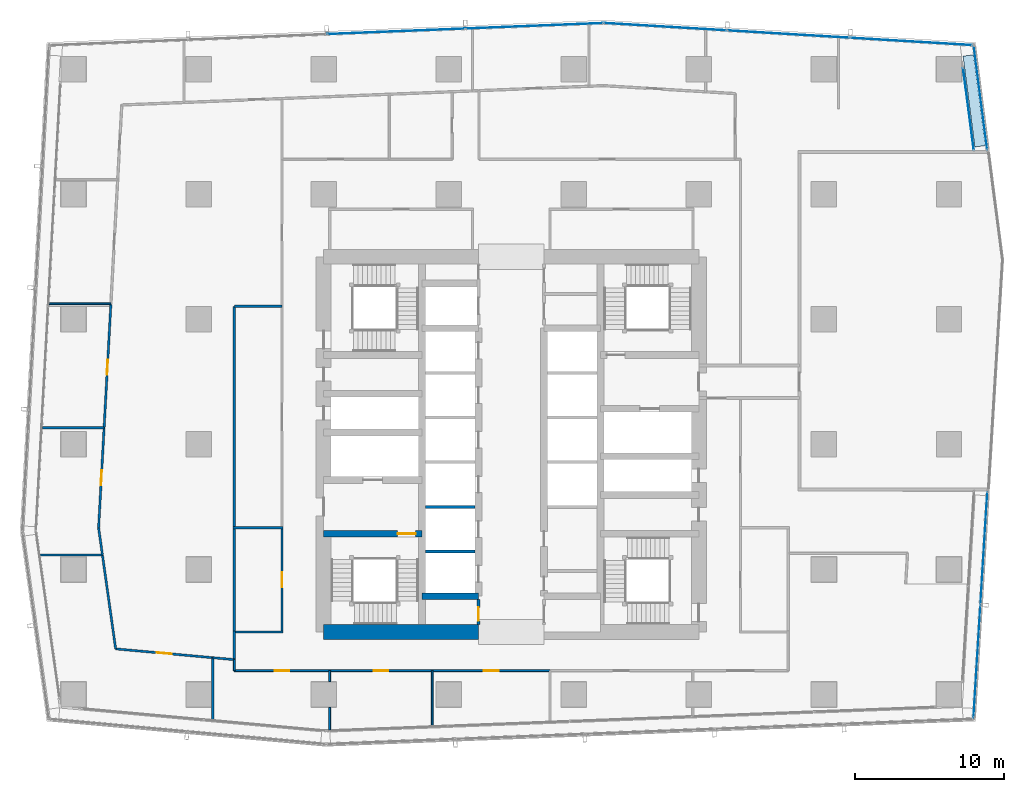
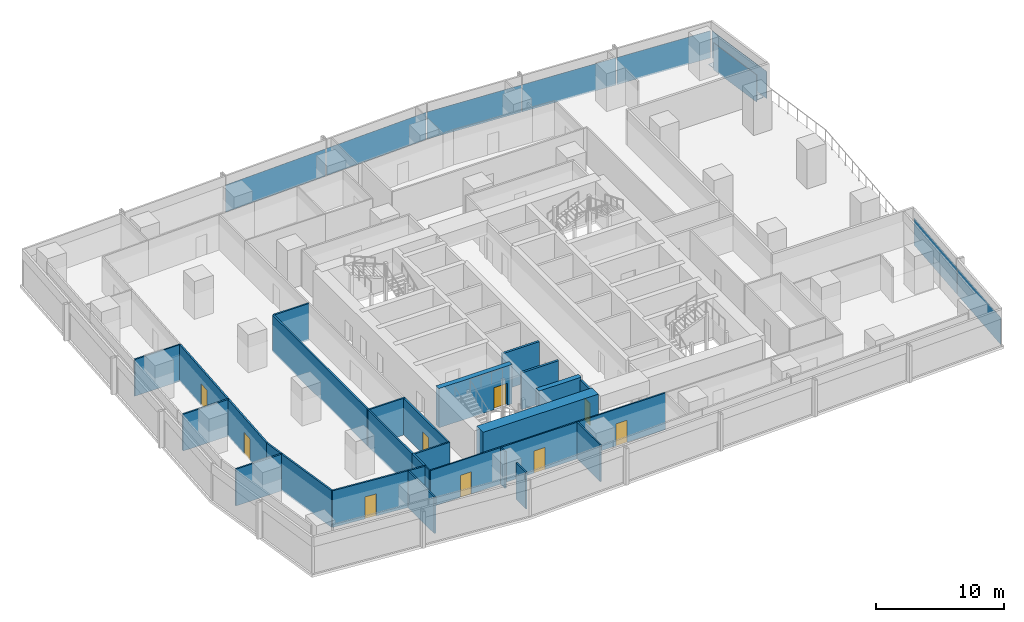
# One storey, part 28 of 40: 30 walls, 10 plates, 9 doors, 9 openings, 5 elements without a shape of their own.
"""IFC4 building model written with IfcOpenShell, lengths in metres."""

from ifc_helpers import new_model, si_unit, direction, frame, frame_2d, origin, origin_2d, place, context, subcontext, project, spatial, rectangle, extrude, material, layer, layer_set, type_object, element, fill, aggregate, save


model = new_model("IFC4")

# Units and contexts
model_context = context("Model", 3, precision=1e-05, world=origin(), true_north=direction((0.0, 1.0)))
body_context = subcontext(model_context, "Body", "Model", "MODEL_VIEW")
ifc_project = project(units=[si_unit("LENGTHUNIT", "METRE"), si_unit("AREAUNIT", "SQUARE_METRE"), si_unit("VOLUMEUNIT", "CUBIC_METRE"), si_unit("PLANEANGLEUNIT", "RADIAN"), si_unit("MASSUNIT", "GRAM", prefix="KILO")], contexts=[model_context])

# Site, building, storey
site_placement = place(None, origin())
site = spatial("IfcSite", under=ifc_project, at=site_placement, CompositionType="ELEMENT")
building_placement = place(site_placement, origin())
building = spatial("IfcBuilding", under=site, at=building_placement, Name="Rekha Terrace Tower", CompositionType="ELEMENT")
storey_placement = place(building_placement, frame((0.0, 0.0, 129.050048828125)))
storey = spatial("IfcBuildingStorey", under=building, at=storey_placement, Name="L32", CompositionType="ELEMENT", Elevation=129.050048828125)

# Curtain wall, plate
ifc_material_1 = material(Name="Aluminium framing", Category="aluminium")
curtain_wall_type_1 = type_object("IfcCurtainWallType", Name="CW1 double skin inner glazing", PredefinedType="USERDEFINED", material=ifc_material_1)
curtain_wall_1_placement = place(storey_placement, origin())
curtain_wall_1 = element("IfcCurtainWall", 1, at=curtain_wall_1_placement, inside=storey, type_object=curtain_wall_type_1, Name="CW1 double skin inner glazing", ObjectType="DOUBLE SKIN INNER GLAZING", PredefinedType="USERDEFINED")
ifc_material_2 = material(Name="Double-glazed low-e unit 32", Category="glass")
ifc_layer_1 = layer(ifc_material_2, 0.031982421875)
ifc_layer_set_1 = layer_set([ifc_layer_1], Name="Double-glazed low-e unit 32")
plate_type_1 = type_object("IfcPlateType", Name="CW1 jumbo vision panel, double-glazed low-e unit 32", PredefinedType="CURTAIN_PANEL", material=ifc_layer_set_1)
plate_1_placement = place(storey_placement, frame((68.512451171875, 56.134033203125, 0.0), z_axis=(0.0, 0.0, 1.0), x_axis=(-0.129118383745, 0.991629186228, 0.0)))
plate_1 = element("IfcPlate", 2, at=plate_1_placement, type_object=plate_type_1, Name="CW1 panel 1.1", PredefinedType="CURTAIN_PANEL", context=body_context, shape_type="SweptSolid", body=[
    extrude(rectangle(XDim=5.53564453125, YDim=0.031982421875, at=origin_2d()), origin(), (0.0, 0.0, 1.0), 2.60009765625),
])
aggregate(curtain_wall_1, [plate_1])

# Curtain wall, plates
curtain_wall_type_2 = type_object("IfcCurtainWallType", Name="CW2 double skin outer glazing", PredefinedType="USERDEFINED", material=ifc_material_1)
curtain_wall_2_placement = place(storey_placement, origin())
curtain_wall_2 = element("IfcCurtainWall", 3, at=curtain_wall_2_placement, inside=storey, type_object=curtain_wall_type_2, Name="CW2 double skin outer glazing", ObjectType="DOUBLE SKIN OUTER GLAZING", PredefinedType="USERDEFINED")
ifc_material_3 = material(Name="Toughened single glazing 12", Category="glass")
ifc_layer_2 = layer(ifc_material_3, 0.011962890625)
ifc_layer_set_2 = layer_set([ifc_layer_2], Name="Toughened single glazing 12")
plate_type_2 = type_object("IfcPlateType", Name="CW2 jumbo vision panel, toughened single glazing 12", PredefinedType="CURTAIN_PANEL", material=ifc_layer_set_2)
plate_2_placement = place(storey_placement, frame((69.085205078125, 19.005126953125, 0.0), z_axis=(0.0, 0.0, 1.0), x_axis=(0.061159803148, 0.998127987023, 0.0)))
plate_2 = element("IfcPlate", 4, at=plate_2_placement, type_object=plate_type_2, Name="CW2 panel 1.1", PredefinedType="CURTAIN_PANEL", context=body_context, shape_type="SweptSolid", body=[
    extrude(rectangle(XDim=7.55615234375, YDim=0.011962890625, at=origin_2d()), origin(), (0.0, 0.0, 1.0), 2.60009765625),
])
plate_3_placement = place(storey_placement, frame((69.55224609375, 26.627197265625, 0.0), z_axis=(0.0, 0.0, 1.0), x_axis=(0.061159803148, 0.998127987023, 0.0)))
plate_3 = element("IfcPlate", 5, at=plate_3_placement, type_object=plate_type_2, Name="CW2 panel 2.1", PredefinedType="CURTAIN_PANEL", context=body_context, shape_type="SweptSolid", body=[
    extrude(rectangle(XDim=7.55615234375, YDim=0.011962890625, at=origin_2d()), origin(), (0.0, 0.0, 1.0), 2.60009765625),
])
aggregate(curtain_wall_2, [plate_2, plate_3])

# Curtain wall, plate
curtain_wall_3_placement = place(storey_placement, origin())
curtain_wall_3 = element("IfcCurtainWall", 6, at=curtain_wall_3_placement, inside=storey, type_object=curtain_wall_type_2, Name="CW2 double skin outer glazing", ObjectType="DOUBLE SKIN OUTER GLAZING", PredefinedType="USERDEFINED")
plate_4_placement = place(storey_placement, frame((69.322265625, 56.88671875, 0.0), z_axis=(0.0, 0.0, 1.0), x_axis=(-0.12911838371, 0.991629186232, 0.0)))
plate_4 = element("IfcPlate", 7, at=plate_4_placement, type_object=plate_type_2, Name="CW2 panel 1.1", PredefinedType="CURTAIN_PANEL", context=body_context, shape_type="SweptSolid", body=[
    extrude(rectangle(XDim=7.0234375, YDim=0.011962890625, at=origin_2d()), origin(), (0.0, 0.0, 1.0), 2.60009765625),
])
aggregate(curtain_wall_3, [plate_4])

# Curtain wall, plates
curtain_wall_type_3 = type_object("IfcCurtainWallType", Name="CW3 north unitised glazing", PredefinedType="USERDEFINED", material=ifc_material_1)
curtain_wall_4_placement = place(storey_placement, origin())
curtain_wall_4 = element("IfcCurtainWall", 8, at=curtain_wall_4_placement, inside=storey, type_object=curtain_wall_type_3, Name="CW3 unitised curtain wall", ObjectType="UNITISED CURTAIN WALL", PredefinedType="USERDEFINED")
ifc_material_4 = material(Name="Double-glazed unit 28", Category="glass")
ifc_layer_3 = layer(ifc_material_4, 0.028076171875)
ifc_layer_set_3 = layer_set([ifc_layer_3], Name="Double-glazed unit 28")
plate_type_3 = type_object("IfcPlateType", Name="CW3 jumbo vision panel, double-glazed unit 28", PredefinedType="CURTAIN_PANEL", material=ifc_layer_set_3)
plate_5_placement = place(storey_placement, frame((64.6748046875, 60.65966796875, 0.0), z_axis=(0.0, 0.0, 1.0), x_axis=(-0.998199102701, 0.059987926837, 0.0)))
plate_5 = element("IfcPlate", 9, at=plate_5_placement, type_object=plate_type_3, Name="CW3 panel 1.1", PredefinedType="CURTAIN_PANEL", context=body_context, shape_type="SweptSolid", body=[
    extrude(rectangle(XDim=8.171630859375, YDim=0.028076171875, at=origin_2d()), origin(), (0.0, 0.0, 1.0), 2.60009765625),
])
plate_6_placement = place(storey_placement, frame((56.430419921875, 61.155029296875, 0.0), z_axis=(0.0, 0.0, 1.0), x_axis=(-0.998199102701, 0.059987926837, 0.0)))
plate_6 = element("IfcPlate", 10, at=plate_6_placement, type_object=plate_type_3, Name="CW3 panel 2.1", PredefinedType="CURTAIN_PANEL", context=body_context, shape_type="SweptSolid", body=[
    extrude(rectangle(XDim=8.20654296875, YDim=0.028076171875, at=origin_2d()), origin(), (0.0, 0.0, 1.0), 2.60009765625),
])
plate_7_placement = place(storey_placement, frame((48.1513671875, 61.652587890625, 0.0), z_axis=(0.0, 0.0, 1.0), x_axis=(-0.998199102701, 0.059987926837, 0.0)))
plate_7 = element("IfcPlate", 11, at=plate_7_placement, type_object=plate_type_3, Name="CW3 panel 3.1", PredefinedType="CURTAIN_PANEL", context=body_context, shape_type="SweptSolid", body=[
    extrude(rectangle(XDim=8.24169921875, YDim=0.028076171875, at=origin_2d()), origin(), (0.0, 0.0, 1.0), 2.60009765625),
])
aggregate(curtain_wall_4, [plate_5, plate_6, plate_7])

curtain_wall_5_placement = place(storey_placement, origin())
curtain_wall_5 = element("IfcCurtainWall", 12, at=curtain_wall_5_placement, inside=storey, type_object=curtain_wall_type_3, Name="CW3 unitised curtain wall", ObjectType="UNITISED CURTAIN WALL", PredefinedType="USERDEFINED")
plate_8_placement = place(storey_placement, frame((39.364501953125, 61.71240234375, 0.0), z_axis=(0.0, 0.0, 1.0), x_axis=(-0.999198398721, -0.040031987119, 0.0)))
plate_8 = element("IfcPlate", 13, at=plate_8_placement, type_object=plate_type_3, Name="CW3 panel 1.1", PredefinedType="CURTAIN_PANEL", context=body_context, shape_type="SweptSolid", body=[
    extrude(rectangle(XDim=9.214599609375, YDim=0.028076171875, at=origin_2d()), origin(), (0.0, 0.0, 1.0), 2.60009765625),
])
plate_9_placement = place(storey_placement, frame((30.06982421875, 61.340087890625, 0.0), z_axis=(0.0, 0.0, 1.0), x_axis=(-0.999198398721, -0.040031987119, 0.0)))
plate_9 = element("IfcPlate", 14, at=plate_9_placement, type_object=plate_type_3, Name="CW3 panel 2.1", PredefinedType="CURTAIN_PANEL", context=body_context, shape_type="SweptSolid", body=[
    extrude(rectangle(XDim=9.24951171875, YDim=0.028076171875, at=origin_2d()), origin(), (0.0, 0.0, 1.0), 2.60009765625),
])
aggregate(curtain_wall_5, [plate_8, plate_9])

# Plate
ifc_material_5 = material(Name="Galvanised steel open grating", Category="steel")
ifc_layer_4 = layer(ifc_material_5, 0.050048828125)
ifc_layer_set_4 = layer_set([ifc_layer_4], Name="Galvanised steel open grating")
plate_type_4 = type_object("IfcPlateType", Name="GT1 cavity walkway grating 50", PredefinedType="USERDEFINED", material=ifc_layer_set_4)
plate_10_placement = place(storey_placement, frame((68.896240234375, 56.673095703125, 0.0), z_axis=(0.0, 0.0, 1.0), x_axis=(-0.129118383623, 0.991629186244, 0.0)))
element("IfcPlate", 15, at=plate_10_placement, inside=storey, type_object=plate_type_4, Name="Cavity walkway grating", ObjectType="CAVITY WALKWAY GRATING", PredefinedType="USERDEFINED", context=body_context, shape_type="SweptSolid", body=[
    extrude(rectangle(XDim=6.15283203125, YDim=0.705078125, at=origin_2d()), origin(), (0.0, 0.0, 1.0), 0.050048828125),
])

# Wall
ifc_material_6 = material(Name="Concrete M70", Category="concrete")
ifc_layer_5 = layer(ifc_material_6, 0.449951171875)
ifc_layer_set_5 = layer_set([ifc_layer_5], Name="Concrete M70")
wall_type_1 = type_object("IfcWallType", Name="CI2 450 core internal shear wall", PredefinedType="SHEAR", material=ifc_layer_set_5)
wall_1_placement = place(storey_placement, frame((31.800048828125, 23.39990234375, 0.0), z_axis=(0.0, 0.0, 1.0), x_axis=(1.0, 0.0, 0.0)))
element("IfcWall", 16, at=wall_1_placement, inside=storey, type_object=wall_type_1, Name="Core wall Y234W L32", PredefinedType="SHEAR", context=body_context, shape_type="SweptSolid", body=[
    extrude(rectangle(XDim=3.800048828125, YDim=0.449951171875, at=frame_2d((1.89990234375, 0.0))), origin(), (0.0, 0.0, 1.0), 3.75),
])

# Wall, opening, door
wall_2_placement = place(storey_placement, frame((25.199951171875, 27.60009765625, 0.0), z_axis=(0.0, 0.0, 1.0), x_axis=(1.0, 0.0, 0.0)))
wall_2 = element("IfcWall", 17, at=wall_2_placement, inside=storey, type_object=wall_type_1, Name="Core wall Y276W L32", PredefinedType="SHEAR", context=body_context, shape_type="SweptSolid", body=[
    extrude(rectangle(XDim=6.60009765625, YDim=0.449951171875, at=frame_2d((3.300048828125, 0.0))), origin(), (0.0, 0.0, 1.0), 3.75),
])
opening_1_placement = place(wall_2_placement, frame((4.97509765625, 0.0, 0.0)))
opening_1 = element("IfcOpeningElement", 18, at=opening_1_placement, cuts=wall_2, Name="Opening D1", PredefinedType="OPENING", context=body_context, shape_type="SweptSolid", body=[
    extrude(rectangle(XDim=1.199951171875, YDim=2.10009765625, at=frame_2d((0.60009765625, 1.050048828125))), frame((0.0, 0.23486328125, 0.0), z_axis=(0.0, -1.0, 0.0), x_axis=(1.0, 0.0, 0.0)), (0.0, 0.0, 1.0), 0.469970703125),
])
ifc_material_7 = material(Name="Steel fire door", Category="steel")
door_type_1 = type_object("IfcDoorType", Name="D1 1200x2100 stair fire door", OperationType="SINGLE_SWING_RIGHT", PredefinedType="DOOR", material=ifc_material_7)
door_1_placement = place(opening_1_placement, origin())
door_1 = element("IfcDoor", 19, at=door_1_placement, inside=storey, type_object=door_type_1, Name="Stair ST1 door L32", OperationType="SINGLE_SWING_RIGHT", OverallHeight=2.10009765625, OverallWidth=1.199951171875, PredefinedType="DOOR", context=body_context, shape_type="SweptSolid", body=[
    extrude(rectangle(XDim=1.199951171875, YDim=2.10009765625, at=frame_2d((0.60009765625, 1.050048828125))), frame((0.0, 0.02490234375, 0.0), z_axis=(0.0, -1.0, 0.0), x_axis=(1.0, 0.0, 0.0)), (0.0, 0.0, 1.0), 0.050048828125),
])
fill(opening_1, door_1)

# Walls
ifc_layer_6 = layer(ifc_material_6, 1.0)
ifc_layer_set_6 = layer_set([ifc_layer_6], Name="Concrete M70")
wall_type_2 = type_object("IfcWallType", Name="SW2 1000 core outer shear wall", PredefinedType="SHEAR", material=ifc_layer_set_6)
wall_3_placement = place(storey_placement, frame((25.199951171875, 21.0, 0.0), z_axis=(0.0, 0.0, 1.0), x_axis=(1.0, 0.0, 0.0)))
element("IfcWall", 20, at=wall_3_placement, inside=storey, type_object=wall_type_2, Name="Core wall S1 L32", PredefinedType="SHEAR", context=body_context, shape_type="SweptSolid", body=[
    extrude(rectangle(XDim=10.400146484375, YDim=1.0, at=frame_2d((5.2001953125, 0.0))), origin(), (0.0, 0.0, 1.0), 3.75),
])
ifc_material_8 = material(Name="Concrete block masonry, 1 hour", Category="masonry")
ifc_layer_7 = layer(ifc_material_8, 0.14990234375)
ifc_layer_set_7 = layer_set([ifc_layer_7], Name="Concrete block masonry, 1 hour")
wall_type_3 = type_object("IfcWallType", Name="WP2 150 tenancy partition", PredefinedType="PARTITIONING", material=ifc_layer_set_7)
for number, where, z_axis, x_axis, name in (
    (21, (19.125, 21.0, 0.0), (0.0, 0.0, 1.0), (1.0, 0.0, 0.0), "Men's WC wall L32"),
    (22, (19.125, 28.0, 0.0), (0.0, 0.0, 1.0), (1.0, 0.0, 0.0), "Men's WC wall L32"),
):
    element("IfcWall", number, at=place(storey_placement, frame(where, z_axis=z_axis, x_axis=x_axis)), inside=storey, type_object=wall_type_3, Name=name, PredefinedType="PARTITIONING", context=body_context, shape_type="SweptSolid", body=[
        extrude(rectangle(XDim=3.35009765625, YDim=0.14990234375, at=frame_2d((1.675048828125, 0.0))), origin(), (0.0, 0.0, 1.0), 3.5),
    ])
wall_4_placement = place(storey_placement, frame((19.199951171875, 21.074951171875, 0.0), z_axis=(0.0, 0.0, 1.0), x_axis=(0.0, 1.0, 0.0)))
element("IfcWall", 23, at=wall_4_placement, inside=storey, type_object=wall_type_3, Name="Men's WC wall L32", PredefinedType="PARTITIONING", context=body_context, shape_type="SweptSolid", body=[
    extrude(rectangle(XDim=6.85009765625, YDim=0.14990234375, at=frame_2d((3.425048828125, 0.0))), origin(), (0.0, 0.0, 1.0), 3.5),
])

# Wall, opening, door
wall_5_placement = place(storey_placement, frame((22.39990234375, 21.074951171875, 0.0), z_axis=(0.0, 0.0, 1.0), x_axis=(0.0, 1.0, 0.0)))
wall_5 = element("IfcWall", 24, at=wall_5_placement, inside=storey, type_object=wall_type_3, Name="Men's WC wall L32", PredefinedType="PARTITIONING", context=body_context, shape_type="SweptSolid", body=[
    extrude(rectangle(XDim=6.85009765625, YDim=0.14990234375, at=frame_2d((3.425048828125, 0.0))), origin(), (0.0, 0.0, 1.0), 3.5),
])
opening_2_placement = place(wall_5_placement, frame((2.925048828125, 0.0, 0.0)))
opening_2 = element("IfcOpeningElement", 25, at=opening_2_placement, cuts=wall_5, Name="Opening D3", PredefinedType="OPENING", context=body_context, shape_type="SweptSolid", body=[
    extrude(rectangle(XDim=1.0, YDim=2.10009765625, at=frame_2d((0.5, 1.050048828125))), frame((0.0, 0.0849609375, 0.0), z_axis=(0.0, -1.0, 0.0), x_axis=(1.0, 0.0, 0.0)), (0.0, 0.0, 1.0), 0.169921875),
])
ifc_material_9 = material(Name="Laminated timber fire door", Category="wood")
door_type_2 = type_object("IfcDoorType", Name="D3 1000x2100 WC door", OperationType="SINGLE_SWING_LEFT", PredefinedType="DOOR", material=ifc_material_9)
door_2_placement = place(opening_2_placement, origin())
door_2 = element("IfcDoor", 26, at=door_2_placement, inside=storey, type_object=door_type_2, Name="Door men's wc L32", OperationType="SINGLE_SWING_LEFT", OverallHeight=2.10009765625, OverallWidth=1.0, PredefinedType="DOOR", context=body_context, shape_type="SweptSolid", body=[
    extrude(rectangle(XDim=1.0, YDim=2.10009765625, at=frame_2d((0.5, 1.050048828125))), frame((0.0, 0.02490234375, 0.0), z_axis=(0.0, -1.0, 0.0), x_axis=(1.0, 0.0, 0.0)), (0.0, 0.0, 1.0), 0.050048828125),
])
fill(opening_2, door_2)

# Walls
wall_6_placement = place(storey_placement, frame((22.39990234375, 42.873046875, 0.0), z_axis=(0.0, 0.0, 1.0), x_axis=(-1.0, 0.0, 0.0)))
element("IfcWall", 27, at=wall_6_placement, inside=storey, type_object=wall_type_3, Name="Partition L32-O2b", PredefinedType="PARTITIONING", context=body_context, shape_type="SweptSolid", body=[
    extrude(rectangle(XDim=3.199951171875, YDim=0.14990234375, at=frame_2d((1.60009765625, 0.0))), origin(), (0.0, 0.0, 1.0), 3.5),
])
wall_7_placement = place(storey_placement, frame((19.199951171875, 42.873046875, 0.0), z_axis=(0.0, 0.0, 1.0), x_axis=(0.0, -1.0, 0.0)))
element("IfcWall", 28, at=wall_7_placement, inside=storey, type_object=wall_type_3, Name="Partition L32-O2b", PredefinedType="PARTITIONING", context=body_context, shape_type="SweptSolid", body=[
    extrude(rectangle(XDim=14.947998046875, YDim=0.14990234375, at=frame_2d((7.47412109375, 0.0))), origin(), (0.0, 0.0, 1.0), 3.5),
])
wall_8_placement = place(storey_placement, frame((19.199951171875, 21.074951171875, 0.0), z_axis=(0.0, 0.0, 1.0), x_axis=(0.0, -1.0, 0.0)))
element("IfcWall", 29, at=wall_8_placement, inside=storey, type_object=wall_type_3, Name="Partition L32-O2b", PredefinedType="PARTITIONING", context=body_context, shape_type="SweptSolid", body=[
    extrude(rectangle(XDim=1.93701171875, YDim=0.14990234375, at=frame_2d((0.968505859375, 0.0))), origin(), (0.0, 0.0, 1.0), 3.5),
])
wall_9_placement = place(storey_placement, frame((19.199951171875, 19.137939453125, 0.0), z_axis=(0.0, 0.0, 1.0), x_axis=(-0.995920706464, 0.090232734836, 0.0)))
element("IfcWall", 30, at=wall_9_placement, inside=storey, type_object=wall_type_3, Name="Partition L32-O2b", PredefinedType="PARTITIONING", context=body_context, shape_type="SweptSolid", body=[
    extrude(rectangle(XDim=1.452880859375, YDim=0.14990234375, at=frame_2d((0.7265625, 0.0))), origin(), (0.0, 0.0, 1.0), 3.5),
])
wall_10_placement = place(storey_placement, frame((17.7529296875, 19.26904296875, 0.0), z_axis=(0.0, 0.0, 1.0), x_axis=(0.0, -1.0, 0.0)))
element("IfcWall", 31, at=wall_10_placement, inside=storey, type_object=wall_type_3, Name="Partition L32-O2b", PredefinedType="PARTITIONING", context=body_context, shape_type="SweptSolid", body=[
    extrude(rectangle(XDim=4.1669921875, YDim=0.14990234375, at=frame_2d((2.08349609375, 0.0))), origin(), (0.0, 0.0, 1.0), 3.5),
])

# Wall, opening, door
wall_11_placement = place(storey_placement, frame((17.751953125, 19.26904296875, 0.0), z_axis=(0.0, 0.0, 1.0), x_axis=(-0.995896565077, 0.090498793736, 0.0)))
wall_11 = element("IfcWall", 32, at=wall_11_placement, inside=storey, type_object=wall_type_3, Name="Partition L32-O2b", PredefinedType="PARTITIONING", context=body_context, shape_type="SweptSolid", body=[
    extrude(rectangle(XDim=6.552734375, YDim=0.14990234375, at=frame_2d((3.2763671875, 0.0))), origin(), (0.0, 0.0, 1.0), 3.5),
])
opening_3_placement = place(wall_11_placement, frame((2.77587890625, 0.0, 0.0)))
opening_3 = element("IfcOpeningElement", 33, at=opening_3_placement, cuts=wall_11, Name="Opening D9", PredefinedType="OPENING", context=body_context, shape_type="SweptSolid", body=[
    extrude(rectangle(XDim=1.0, YDim=2.10009765625, at=frame_2d((0.5, 1.050048828125))), frame((0.0, 0.0849609375, 0.0), z_axis=(0.0, -1.0, 0.0), x_axis=(1.0, 0.0, 0.0)), (0.0, 0.0, 1.0), 0.169921875),
])
ifc_material_10 = material(Name="Timber fire door", Category="wood")
door_type_3 = type_object("IfcDoorType", Name="D9 1000x2100 office door", OperationType="SINGLE_SWING_LEFT", PredefinedType="DOOR", material=ifc_material_10)
door_3_placement = place(opening_3_placement, origin())
door_3 = element("IfcDoor", 34, at=door_3_placement, inside=storey, type_object=door_type_3, Name="Door director's office L32", OperationType="SINGLE_SWING_LEFT", OverallHeight=2.10009765625, OverallWidth=1.0, PredefinedType="DOOR", context=body_context, shape_type="SweptSolid", body=[
    extrude(rectangle(XDim=1.0, YDim=2.10009765625, at=frame_2d((0.5, 1.050048828125))), frame((0.0, 0.02490234375, 0.0), z_axis=(0.0, -1.0, 0.0), x_axis=(1.0, 0.0, 0.0)), (0.0, 0.0, 1.0), 0.050048828125),
])
fill(opening_3, door_3)

# Walls
wall_12_placement = place(storey_placement, frame((11.22607421875, 19.862060546875, 0.0), z_axis=(0.0, 0.0, 1.0), x_axis=(-0.13959860056, 0.990208175447, 0.0)))
element("IfcWall", 35, at=wall_12_placement, inside=storey, type_object=wall_type_3, Name="Partition L32-O2b", PredefinedType="PARTITIONING", context=body_context, shape_type="SweptSolid", body=[
    extrude(rectangle(XDim=6.37646484375, YDim=0.14990234375, at=frame_2d((3.188232421875, 0.0))), origin(), (0.0, 0.0, 1.0), 3.5),
])
wall_13_placement = place(storey_placement, frame((10.3359375, 26.176025390625, 0.0), z_axis=(0.0, 0.0, 1.0), x_axis=(-1.0, 0.0, 0.0)))
element("IfcWall", 36, at=wall_13_placement, inside=storey, type_object=wall_type_3, Name="Partition L32-O2b", PredefinedType="PARTITIONING", context=body_context, shape_type="SweptSolid", body=[
    extrude(rectangle(XDim=4.19091796875, YDim=0.14990234375, at=frame_2d((2.095458984375, 0.0))), origin(), (0.0, 0.0, 1.0), 3.5),
])
wall_14_placement = place(storey_placement, frame((10.3359375, 26.177001953125, 0.0), z_axis=(0.0, 0.0, 1.0), x_axis=(-0.139520002301, 0.990219252973, 0.0)))
element("IfcWall", 37, at=wall_14_placement, inside=storey, type_object=wall_type_3, Name="Partition L32-O2b", PredefinedType="PARTITIONING", context=body_context, shape_type="SweptSolid", body=[
    extrude(rectangle(XDim=1.833740234375, YDim=0.14990234375, at=frame_2d((0.9169921875, 0.0))), origin(), (0.0, 0.0, 1.0), 3.5),
])

# Wall, opening, door
wall_15_placement = place(storey_placement, frame((10.080078125, 27.992919921875, 0.0), z_axis=(0.0, 0.0, 1.0), x_axis=(0.054828909379, 0.998495763985, 0.0)))
wall_15 = element("IfcWall", 38, at=wall_15_placement, inside=storey, type_object=wall_type_3, Name="Partition L32-O2b", PredefinedType="PARTITIONING", context=body_context, shape_type="SweptSolid", body=[
    extrude(rectangle(XDim=6.72802734375, YDim=0.14990234375, at=frame_2d((3.364013671875, 0.0))), origin(), (0.0, 0.0, 1.0), 3.5),
])
opening_4_placement = place(wall_15_placement, frame((2.864013671875, 0.0, 0.0)))
opening_4 = element("IfcOpeningElement", 39, at=opening_4_placement, cuts=wall_15, Name="Opening D9", PredefinedType="OPENING", context=body_context, shape_type="SweptSolid", body=[
    extrude(rectangle(XDim=1.0, YDim=2.10009765625, at=frame_2d((0.5, 1.050048828125))), frame((0.0, 0.0849609375, 0.0), z_axis=(0.0, -1.0, 0.0), x_axis=(1.0, 0.0, 0.0)), (0.0, 0.0, 1.0), 0.169921875),
])
door_4_placement = place(opening_4_placement, origin())
door_4 = element("IfcDoor", 40, at=door_4_placement, inside=storey, type_object=door_type_3, Name="Door wellness room L32", OperationType="SINGLE_SWING_LEFT", OverallHeight=2.10009765625, OverallWidth=1.0, PredefinedType="DOOR", context=body_context, shape_type="SweptSolid", body=[
    extrude(rectangle(XDim=1.0, YDim=2.10009765625, at=frame_2d((0.5, 1.050048828125))), frame((0.0, 0.02490234375, 0.0), z_axis=(0.0, -1.0, 0.0), x_axis=(1.0, 0.0, 0.0)), (0.0, 0.0, 1.0), 0.050048828125),
])
fill(opening_4, door_4)

# Wall
wall_16_placement = place(storey_placement, frame((10.448974609375, 34.7109375, 0.0), z_axis=(0.0, 0.0, 1.0), x_axis=(-1.0, 0.0, 0.0)))
element("IfcWall", 41, at=wall_16_placement, inside=storey, type_object=wall_type_3, Name="Partition L32-O2b", PredefinedType="PARTITIONING", context=body_context, shape_type="SweptSolid", body=[
    extrude(rectangle(XDim=4.126953125, YDim=0.14990234375, at=frame_2d((2.0634765625, 0.0))), origin(), (0.0, 0.0, 1.0), 3.5),
])

# Wall, opening, door
wall_17_placement = place(storey_placement, frame((10.448974609375, 34.7119140625, 0.0), z_axis=(0.0, 0.0, 1.0), x_axis=(0.054702785793, 0.998502681632, 0.0)))
wall_17 = element("IfcWall", 42, at=wall_17_placement, inside=storey, type_object=wall_type_3, Name="Partition L32-O2b", PredefinedType="PARTITIONING", context=body_context, shape_type="SweptSolid", body=[
    extrude(rectangle(XDim=8.283447265625, YDim=0.14990234375, at=frame_2d((4.1416015625, 0.0))), origin(), (0.0, 0.0, 1.0), 3.5),
])
opening_5_placement = place(wall_17_placement, frame((3.5859375, 0.0, 0.0)))
opening_5 = element("IfcOpeningElement", 43, at=opening_5_placement, cuts=wall_17, Name="Opening D9", PredefinedType="OPENING", context=body_context, shape_type="SweptSolid", body=[
    extrude(rectangle(XDim=1.0, YDim=2.10009765625, at=frame_2d((0.5, 1.050048828125))), frame((0.0, 0.0849609375, 0.0), z_axis=(0.0, -1.0, 0.0), x_axis=(1.0, 0.0, 0.0)), (0.0, 0.0, 1.0), 0.169921875),
])
door_5_placement = place(opening_5_placement, origin())
door_5 = element("IfcDoor", 44, at=door_5_placement, inside=storey, type_object=door_type_3, Name="Door breakout lounge L32", OperationType="SINGLE_SWING_LEFT", OverallHeight=2.10009765625, OverallWidth=1.0, PredefinedType="DOOR", context=body_context, shape_type="SweptSolid", body=[
    extrude(rectangle(XDim=1.0, YDim=2.10009765625, at=frame_2d((0.5, 1.050048828125))), frame((0.0, 0.02490234375, 0.0), z_axis=(0.0, -1.0, 0.0), x_axis=(1.0, 0.0, 0.0)), (0.0, 0.0, 1.0), 0.050048828125),
])
fill(opening_5, door_5)

# Walls
ifc_material_11 = material(Name="Two layers of fire-rated gypsum board each side on steel studs, acoustic quilt, 1 hour", Category="steel")
ifc_layer_8 = layer(ifc_material_11, 0.125)
ifc_layer_set_8 = layer_set([ifc_layer_8], Name="Two layers of fire-rated gypsum board each side on steel studs, acoustic quilt, 1 hour")
wall_type_4 = type_object("IfcWallType", Name="WP3 125 office partition", PredefinedType="PARTITIONING", material=ifc_layer_set_8)
wall_18_placement = place(storey_placement, frame((10.905029296875, 43.0458984375, 0.0), z_axis=(0.0, 0.0, 1.0), x_axis=(-1.0, 0.0, 0.0)))
element("IfcWall", 45, at=wall_18_placement, inside=storey, type_object=wall_type_4, Name="Partition L32-08", PredefinedType="PARTITIONING", context=body_context, shape_type="SweptSolid", body=[
    extrude(rectangle(XDim=4.1259765625, YDim=0.125, at=frame_2d((2.06298828125, 0.0))), origin(), (0.0, 0.0, 1.0), 3.5),
])
wall_19_placement = place(storey_placement, frame((19.199951171875, 19.137939453125, 0.0), z_axis=(0.0, 0.0, 1.0), x_axis=(0.0, -1.0, 0.0)))
element("IfcWall", 46, at=wall_19_placement, inside=storey, type_object=wall_type_4, Name="Partition L32-17", PredefinedType="PARTITIONING", context=body_context, shape_type="SweptSolid", body=[
    extrude(rectangle(XDim=0.738037109375, YDim=0.125, at=frame_2d((0.369140625, 0.0))), origin(), (0.0, 0.0, 1.0), 3.5),
])

# Wall, opening, door
wall_20_placement = place(storey_placement, frame((19.199951171875, 18.39990234375, 0.0), z_axis=(0.0, 0.0, 1.0), x_axis=(1.0, 0.0, 0.0)))
wall_20 = element("IfcWall", 47, at=wall_20_placement, inside=storey, type_object=wall_type_4, Name="Partition L32-17", PredefinedType="PARTITIONING", context=body_context, shape_type="SweptSolid", body=[
    extrude(rectangle(XDim=6.400146484375, YDim=0.125, at=frame_2d((3.2001953125, 0.0))), origin(), (0.0, 0.0, 1.0), 3.5),
])
opening_6_placement = place(wall_20_placement, frame((2.699951171875, 0.0, 0.0)))
opening_6 = element("IfcOpeningElement", 48, at=opening_6_placement, cuts=wall_20, Name="Opening D9", PredefinedType="OPENING", context=body_context, shape_type="SweptSolid", body=[
    extrude(rectangle(XDim=1.0, YDim=2.10009765625, at=frame_2d((0.5, 1.050048828125))), frame((0.0, 0.072509765625, 0.0), z_axis=(0.0, -1.0, 0.0), x_axis=(1.0, 0.0, 0.0)), (0.0, 0.0, 1.0), 0.14501953125),
])
door_6_placement = place(opening_6_placement, origin())
door_6 = element("IfcDoor", 49, at=door_6_placement, inside=storey, type_object=door_type_3, Name="Door office L32", OperationType="SINGLE_SWING_LEFT", OverallHeight=2.10009765625, OverallWidth=1.0, PredefinedType="DOOR", context=body_context, shape_type="SweptSolid", body=[
    extrude(rectangle(XDim=1.0, YDim=2.10009765625, at=frame_2d((0.5, 1.050048828125))), frame((0.0, 0.02490234375, 0.0), z_axis=(0.0, -1.0, 0.0), x_axis=(1.0, 0.0, 0.0)), (0.0, 0.0, 1.0), 0.050048828125),
])
fill(opening_6, door_6)

# Walls
wall_21_placement = place(storey_placement, frame((25.60009765625, 18.39990234375, 0.0), z_axis=(0.0, 0.0, 1.0), x_axis=(0.0, -1.0, 0.0)))
element("IfcWall", 50, at=wall_21_placement, inside=storey, type_object=wall_type_4, Name="Partition L32-17", PredefinedType="PARTITIONING", context=body_context, shape_type="SweptSolid", body=[
    extrude(rectangle(XDim=0.72998046875, YDim=0.125, at=frame_2d((0.364990234375, 0.0))), origin(), (0.0, 0.0, 1.0), 3.5),
])
wall_22_placement = place(storey_placement, frame((25.60009765625, 15.929931640625, 0.0), z_axis=(0.0, 0.0, 1.0), x_axis=(0.0, -1.0, 0.0)))
element("IfcWall", 51, at=wall_22_placement, inside=storey, type_object=wall_type_4, Name="Partition L32-17", PredefinedType="PARTITIONING", context=body_context, shape_type="SweptSolid", body=[
    extrude(rectangle(XDim=1.5078125, YDim=0.125, at=frame_2d((0.75390625, 0.0))), origin(), (0.0, 0.0, 1.0), 3.5),
])

# Wall, opening, door
wall_23_placement = place(storey_placement, frame((25.60107421875, 18.39990234375, 0.0), z_axis=(0.0, 0.0, 1.0), x_axis=(1.0, 0.0, 0.0)))
wall_23 = element("IfcWall", 52, at=wall_23_placement, inside=storey, type_object=wall_type_4, Name="Partition L32-18", PredefinedType="PARTITIONING", context=body_context, shape_type="SweptSolid", body=[
    extrude(rectangle(XDim=6.892822265625, YDim=0.125, at=frame_2d((3.4462890625, 0.0))), origin(), (0.0, 0.0, 1.0), 3.5),
])
opening_7_placement = place(wall_23_placement, frame((2.947021484375, 0.0, 0.0)))
opening_7 = element("IfcOpeningElement", 53, at=opening_7_placement, cuts=wall_23, Name="Opening D9", PredefinedType="OPENING", context=body_context, shape_type="SweptSolid", body=[
    extrude(rectangle(XDim=1.0, YDim=2.10009765625, at=frame_2d((0.5, 1.050048828125))), frame((0.0, 0.072509765625, 0.0), z_axis=(0.0, -1.0, 0.0), x_axis=(1.0, 0.0, 0.0)), (0.0, 0.0, 1.0), 0.14501953125),
])
door_7_placement = place(opening_7_placement, origin())
door_7 = element("IfcDoor", 54, at=door_7_placement, inside=storey, type_object=door_type_3, Name="Door reference library L32", OperationType="SINGLE_SWING_LEFT", OverallHeight=2.10009765625, OverallWidth=1.0, PredefinedType="DOOR", context=body_context, shape_type="SweptSolid", body=[
    extrude(rectangle(XDim=1.0, YDim=2.10009765625, at=frame_2d((0.5, 1.050048828125))), frame((0.0, 0.02490234375, 0.0), z_axis=(0.0, -1.0, 0.0), x_axis=(1.0, 0.0, 0.0)), (0.0, 0.0, 1.0), 0.050048828125),
])
fill(opening_7, door_7)

# Wall
wall_24_placement = place(storey_placement, frame((32.493896484375, 18.39990234375, 0.0), z_axis=(0.0, 0.0, 1.0), x_axis=(0.0, -1.0, 0.0)))
element("IfcWall", 55, at=wall_24_placement, inside=storey, type_object=wall_type_4, Name="Partition L32-18", PredefinedType="PARTITIONING", context=body_context, shape_type="SweptSolid", body=[
    extrude(rectangle(XDim=3.679931640625, YDim=0.125, at=frame_2d((1.83984375, 0.0))), origin(), (0.0, 0.0, 1.0), 3.5),
])

# Wall, opening, door
wall_25_placement = place(storey_placement, frame((32.4951171875, 18.39990234375, 0.0), z_axis=(0.0, 0.0, 1.0), x_axis=(1.0, 0.0, 0.0)))
wall_25 = element("IfcWall", 56, at=wall_25_placement, inside=storey, type_object=wall_type_4, Name="Partition L32-19", PredefinedType="PARTITIONING", context=body_context, shape_type="SweptSolid", body=[
    extrude(rectangle(XDim=7.90478515625, YDim=0.125, at=frame_2d((3.952392578125, 0.0))), origin(), (0.0, 0.0, 1.0), 3.5),
])
opening_8_placement = place(wall_25_placement, frame((3.452880859375, 0.0, 0.0)))
opening_8 = element("IfcOpeningElement", 57, at=opening_8_placement, cuts=wall_25, Name="Opening D9", PredefinedType="OPENING", context=body_context, shape_type="SweptSolid", body=[
    extrude(rectangle(XDim=1.0, YDim=2.10009765625, at=frame_2d((0.5, 1.050048828125))), frame((0.0, 0.072509765625, 0.0), z_axis=(0.0, -1.0, 0.0), x_axis=(1.0, 0.0, 0.0)), (0.0, 0.0, 1.0), 0.14501953125),
])
door_8_placement = place(opening_8_placement, origin())
door_8 = element("IfcDoor", 58, at=door_8_placement, inside=storey, type_object=door_type_3, Name="Door pantry L32", OperationType="SINGLE_SWING_LEFT", OverallHeight=2.10009765625, OverallWidth=1.0, PredefinedType="DOOR", context=body_context, shape_type="SweptSolid", body=[
    extrude(rectangle(XDim=1.0, YDim=2.10009765625, at=frame_2d((0.5, 1.050048828125))), frame((0.0, 0.02490234375, 0.0), z_axis=(0.0, -1.0, 0.0), x_axis=(1.0, 0.0, 0.0)), (0.0, 0.0, 1.0), 0.050048828125),
])
fill(opening_8, door_8)

# Walls
ifc_material_12 = material(Name="Solid concrete block masonry, 2 hour", Category="masonry")
ifc_layer_9 = layer(ifc_material_12, 0.199951171875)
ifc_layer_set_9 = layer_set([ifc_layer_9], Name="Solid concrete block masonry, 2 hour")
wall_type_5 = type_object("IfcWallType", Name="WS1 200 stair and shaft enclosure", PredefinedType="PARTITIONING", material=ifc_layer_set_9)
for number, where, z_axis, x_axis, name in (
    (59, (32.02490234375, 26.39990234375, 0.0), (0.0, 0.0, 1.0), (1.0, 0.0, 0.0), "Lift shaft divider L32"),
    (60, (32.02490234375, 29.39990234375, 0.0), (0.0, 0.0, 1.0), (1.0, 0.0, 0.0), "Lift shaft divider L32"),
):
    element("IfcWall", number, at=place(storey_placement, frame(where, z_axis=z_axis, x_axis=x_axis)), inside=storey, type_object=wall_type_5, Name=name, PredefinedType="PARTITIONING", context=body_context, shape_type="SweptSolid", body=[
        extrude(rectangle(XDim=3.35009765625, YDim=0.199951171875, at=frame_2d((1.675048828125, 0.0))), origin(), (0.0, 0.0, 1.0), 3.5),
    ])

# Wall, opening, door
wall_26_placement = place(storey_placement, frame((35.60009765625, 21.5, 0.0), z_axis=(0.0, 0.0, 1.0), x_axis=(0.0, 1.0, 0.0)))
wall_26 = element("IfcWall", 61, at=wall_26_placement, inside=storey, type_object=wall_type_5, Name="Core partition west L32", PredefinedType="PARTITIONING", context=body_context, shape_type="SweptSolid", body=[
    extrude(rectangle(XDim=1.675048828125, YDim=0.199951171875, at=frame_2d((0.83740234375, 0.0))), origin(), (0.0, 0.0, 1.0), 3.5),
])
opening_9_placement = place(wall_26_placement, frame((0.25, 0.0, 0.0)))
opening_9 = element("IfcOpeningElement", 62, at=opening_9_placement, cuts=wall_26, Name="Opening D5", PredefinedType="OPENING", context=body_context, shape_type="SweptSolid", body=[
    extrude(rectangle(XDim=0.89990234375, YDim=2.10009765625, at=frame_2d((0.449951171875, 1.050048828125))), frame((0.0, 0.10986328125, 0.0), z_axis=(0.0, -1.0, 0.0), x_axis=(1.0, 0.0, 0.0)), (0.0, 0.0, 1.0), 0.219970703125),
])
door_type_4 = type_object("IfcDoorType", Name="D5 900x2100 riser access door", OperationType="SINGLE_SWING_LEFT", PredefinedType="DOOR", material=ifc_material_7)
door_9_placement = place(opening_9_placement, origin())
door_9 = element("IfcDoor", 63, at=door_9_placement, inside=storey, type_object=door_type_4, Name="Door cleaner's store L32", OperationType="SINGLE_SWING_LEFT", OverallHeight=2.10009765625, OverallWidth=0.89990234375, PredefinedType="DOOR", context=body_context, shape_type="SweptSolid", body=[
    extrude(rectangle(XDim=0.89990234375, YDim=2.10009765625, at=frame_2d((0.449951171875, 1.050048828125))), frame((0.0, 0.02490234375, 0.0), z_axis=(0.0, -1.0, 0.0), x_axis=(1.0, 0.0, 0.0)), (0.0, 0.0, 1.0), 0.050048828125),
])
fill(opening_9, door_9)

save(model, "model.ifc")
